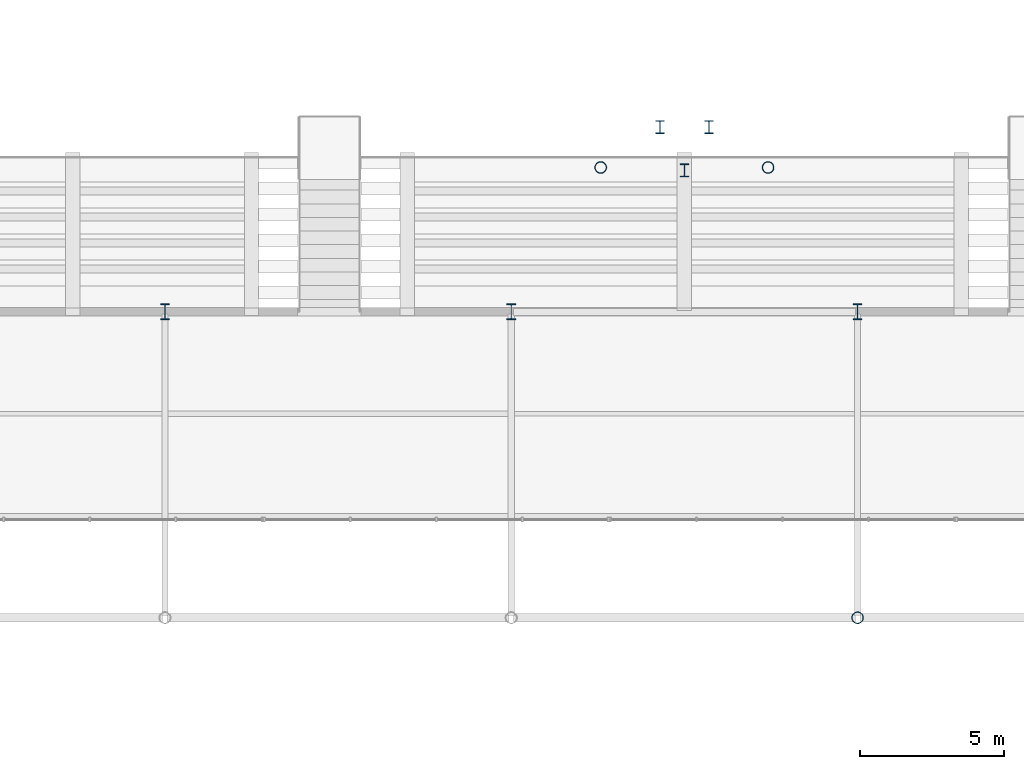
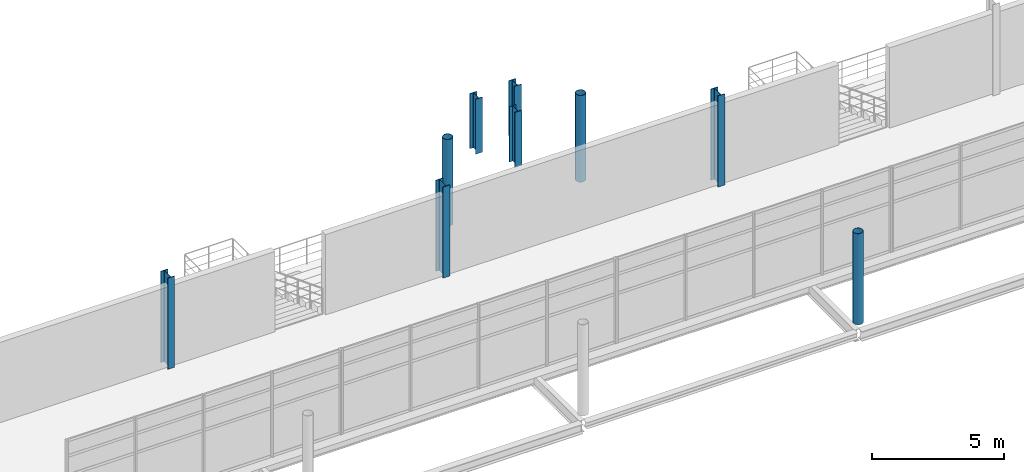
# One storey, part 2 of 89: 9 columns.
"""IFC4 building model written with IfcOpenShell, lengths in metres."""

from ifc_helpers import new_model, si_unit, direction, frame, origin, origin_2d, place, context, subcontext, project, spatial, hollow_circle, i_section, extrude, material, material_profile, profile_set, type_object, element, save


model = new_model("IFC4")

# Units and contexts
model_context = context("Model", 3, precision=1e-05, world=origin(), true_north=direction((0.0, 1.0)))
body_context = subcontext(model_context, "Body", "Model", "MODEL_VIEW")
ifc_project = project(units=[si_unit("LENGTHUNIT", "METRE"), si_unit("AREAUNIT", "SQUARE_METRE"), si_unit("VOLUMEUNIT", "CUBIC_METRE"), si_unit("PLANEANGLEUNIT", "RADIAN"), si_unit("MASSUNIT", "GRAM", prefix="KILO"), si_unit("THERMODYNAMICTEMPERATUREUNIT", "KELVIN"), si_unit("POWERUNIT", "WATT")], contexts=[model_context])

# Site, building, storey
site_placement = place(None, origin())
site = spatial("IfcSite", under=ifc_project, at=site_placement, CompositionType="ELEMENT")
building_placement = place(site_placement, origin())
building = spatial("IfcBuilding", under=site, at=building_placement, Name="Solmara Park Aquatics Centre", CompositionType="ELEMENT")
storey_placement = place(building_placement, frame((0.0, 0.0, 5.39990234375)))
storey = spatial("IfcBuildingStorey", under=building, at=storey_placement, Name="L01", CompositionType="ELEMENT", Elevation=5.39990234375)

# Columns
ifc_material = material(Name="Structural Steel S355", Category="steel")
ifc_material_profile_1 = material_profile(ifc_material, hollow_circle(Radius=0.203125, WallThickness=0.01611328125, at=origin_2d()), Name="CHS 406.4x16")
ifc_profile_set_1 = profile_set([ifc_material_profile_1], Name="Structural Steel S355")
column_type_1 = type_object("IfcColumnType", Name="STR-COL-CHS406", PredefinedType="COLUMN", material=ifc_profile_set_1)
column_placement = place(storey_placement, frame((60.60009765625, 12.60009765625, 0.0), z_axis=(0.0, 0.0, 1.0), x_axis=(1.0, 0.0, 0.0)))
element("IfcColumn", 1, at=column_placement, inside=storey, type_object=column_type_1, Name="Column L01-0358", PredefinedType="COLUMN", context=body_context, shape_type="SweptSolid", body=[
    extrude(hollow_circle(Radius=0.203125, WallThickness=0.01611328125, at=origin_2d()), origin(), (0.0, 0.0, 1.0), 4.2001953125),
])
for number, where, z_axis, x_axis, name in (
    (2, (51.699951171875, 28.199951171875, -1.7998046875), (0.0, 0.0, 1.0), (1.0, 0.0, 0.0), "Upper Stand Front Column L01 S1-2"),
    (3, (57.5, 28.199951171875, -1.7998046875), (0.0, 0.0, 1.0), (1.0, 0.0, 0.0), "Upper Stand Front Column L01 S2-1"),
):
    element("IfcColumn", number, at=place(storey_placement, frame(where, z_axis=z_axis, x_axis=x_axis)), inside=storey, type_object=column_type_1, Name=name, PredefinedType="COLUMN", context=body_context, shape_type="SweptSolid", body=[
        extrude(hollow_circle(Radius=0.203125, WallThickness=0.01611328125, at=origin_2d()), origin(), (0.0, 0.0, 1.0), 4.0),
    ])
ifc_material_profile_2 = material_profile(ifc_material, i_section(OverallWidth=0.300048828125, OverallDepth=0.449951171875, WebThickness=0.013916015625, FlangeThickness=0.02587890625, FilletRadius=0.027099609375, at=origin_2d()), Name="HEB 450")
ifc_profile_set_2 = profile_set([ifc_material_profile_2], Name="Structural Steel S355")
column_type_2 = type_object("IfcColumnType", Name="STR-COL-HEB450", PredefinedType="COLUMN", material=ifc_profile_set_2)
for number, where, z_axis, x_axis, name in (
    (4, (53.75, 29.60009765625, 0.0), (0.0, 0.0, 1.0), (1.0, 0.0, 0.0), "Vomitory Stair VS-06 Support Column 1"),
    (5, (55.449951171875, 29.60009765625, 0.0), (0.0, 0.0, 1.0), (1.0, 0.0, 0.0), "Vomitory Stair VS-06 Support Column 2"),
    (6, (54.60009765625, 28.10009765625, 0.0), (0.0, 0.0, 1.0), (1.0, 0.0, 0.0), "Vomitory Stair VS-06 Support Column 3"),
):
    element("IfcColumn", number, at=place(storey_placement, frame(where, z_axis=z_axis, x_axis=x_axis)), inside=storey, type_object=column_type_2, Name=name, PredefinedType="COLUMN", context=body_context, shape_type="SweptSolid", body=[
        extrude(i_section(OverallWidth=0.300048828125, OverallDepth=0.449951171875, WebThickness=0.013916015625, FlangeThickness=0.02587890625, FilletRadius=0.027099609375, at=origin_2d()), origin(), (0.0, 0.0, 1.0), 2.5400390625),
    ])
ifc_material_profile_3 = material_profile(ifc_material, i_section(OverallWidth=0.300048828125, OverallDepth=0.550048828125, WebThickness=0.014892578125, FlangeThickness=0.029052734375, FilletRadius=0.027099609375, at=origin_2d()), Name="HEB 550")
ifc_profile_set_3 = profile_set([ifc_material_profile_3], Name="Structural Steel S355")
column_type_3 = type_object("IfcColumnType", Name="STR-COL-HEB550", PredefinedType="COLUMN", material=ifc_profile_set_3)
for number, where, z_axis, x_axis, name in (
    (7, (36.60009765625, 23.199951171875, 0.0), (0.0, 0.0, 1.0), (1.0, 0.0, 0.0), "Column L01-0339"),
    (8, (48.60009765625, 23.199951171875, 0.0), (0.0, 0.0, 1.0), (1.0, 0.0, 0.0), "Column L01-0349"),
    (9, (60.60009765625, 23.199951171875, 0.0), (0.0, 0.0, 1.0), (1.0, 0.0, 0.0), "Column L01-0359"),
):
    element("IfcColumn", number, at=place(storey_placement, frame(where, z_axis=z_axis, x_axis=x_axis)), inside=storey, type_object=column_type_3, Name=name, PredefinedType="COLUMN", context=body_context, shape_type="SweptSolid", body=[
        extrude(i_section(OverallWidth=0.300048828125, OverallDepth=0.550048828125, WebThickness=0.014892578125, FlangeThickness=0.029052734375, FilletRadius=0.027099609375, at=origin_2d()), origin(), (0.0, 0.0, 1.0), 4.2001953125),
    ])

save(model, "model.ifc")
